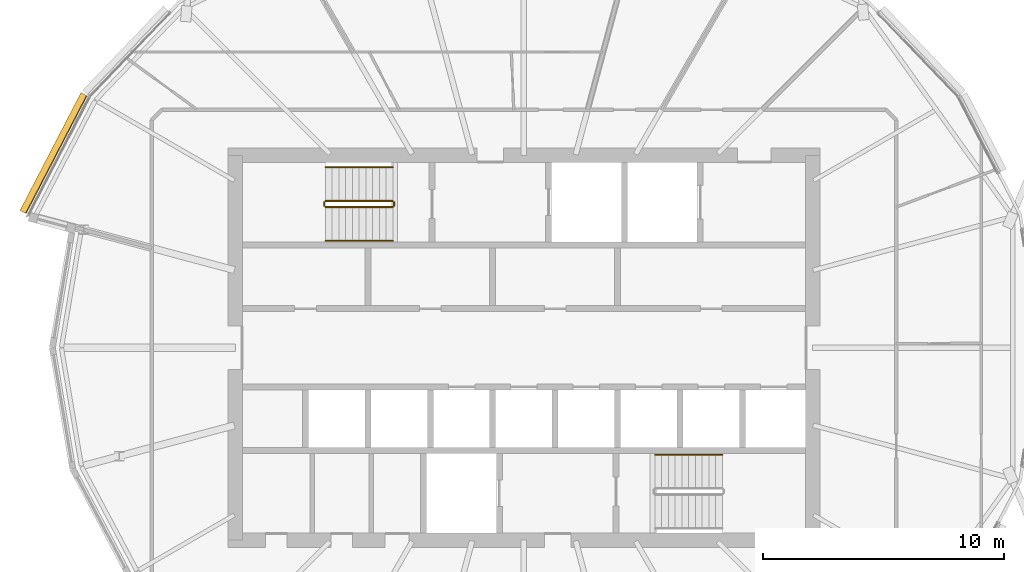
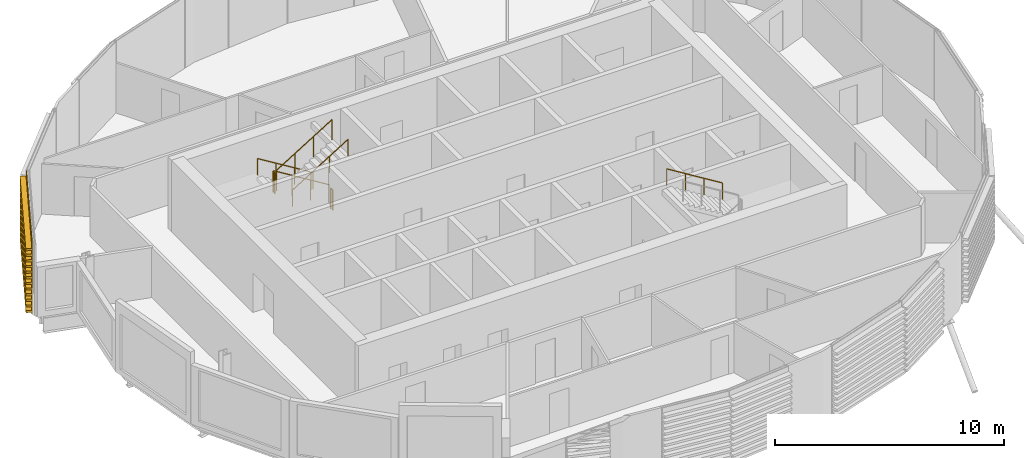
# One storey, part 32 of 36: 7 railings, 1 covering.
"""IFC4 building model written with IfcOpenShell, lengths in metres."""

from ifc_helpers import new_model, si_unit, direction, frame, origin, origin_2d, place, context, subcontext, project, spatial, polyline, circle, outline, extrude, material, material_profile, profile_set, type_object, element, save


model = new_model("IFC4")

# Units and contexts
model_context = context("Model", 3, precision=1e-05, world=origin(), true_north=direction((0.0, 1.0)))
body_context = subcontext(model_context, "Body", "Model", "MODEL_VIEW")
ifc_project = project(units=[si_unit("LENGTHUNIT", "METRE"), si_unit("AREAUNIT", "SQUARE_METRE"), si_unit("VOLUMEUNIT", "CUBIC_METRE"), si_unit("PLANEANGLEUNIT", "RADIAN"), si_unit("MASSUNIT", "GRAM", prefix="KILO")], contexts=[model_context])

# Site, building, storey
site_placement = place(None, origin())
site = spatial("IfcSite", under=ifc_project, at=site_placement, CompositionType="ELEMENT")
building_placement = place(site_placement, origin())
building = spatial("IfcBuilding", under=site, at=building_placement, Name="Rimbun Link Towers", CompositionType="ELEMENT")
storey_placement = place(building_placement, frame((0.0, 0.0, 200.699951171875)))
storey = spatial("IfcBuildingStorey", under=building, at=storey_placement, Name="L49", CompositionType="ELEMENT", Elevation=200.699951171875)

# Railings
ifc_material_1 = material(Name="Stainless steel grade 316", Category="steel")
railing_type_1 = type_object("IfcRailingType", Name="Stair guard", PredefinedType="GUARDRAIL", material=ifc_material_1)
railing_1_placement = place(storey_placement, frame((-37.199951171875, 6.10009765625, 0.1728515625)))
element("IfcRailing", 1, at=railing_1_placement, inside=storey, type_object=railing_type_1, Name="L49 ST1 stair guard 1", PredefinedType="GUARDRAIL", context=body_context, shape_type="SweptSolid", body=[
    extrude(circle(Radius=0.02392578125, at=origin_2d()), frame((0.0, 0.0, 1.076171875), z_axis=(-0.851089632645, 0.0, 0.525020415988), x_axis=(0.0, -1.0, 0.0)), (0.0, 0.0, 1.0), 3.2900390625),
    extrude(circle(Radius=0.02099609375, at=origin_2d()), origin(), (0.0, 0.0, 1.0), 1.052001953125),
    extrude(circle(Radius=0.02099609375, at=origin_2d()), frame((-0.933349609375, 0.0, 0.57568359375)), (0.0, 0.0, 1.0), 1.052001953125),
    extrude(circle(Radius=0.02099609375, at=origin_2d()), frame((-1.86669921875, 0.0, 1.151611328125)), (0.0, 0.0, 1.0), 1.052001953125),
    extrude(circle(Radius=0.02099609375, at=origin_2d()), frame((-2.800048828125, 0.0, 1.727294921875)), (0.0, 0.0, 1.0), 1.052001953125),
])
railing_2_placement = place(storey_placement, frame((-40.050048828125, 6.050048828125, 1.900146484375)))
element("IfcRailing", 2, at=railing_2_placement, inside=storey, type_object=railing_type_1, Name="L49 ST1 stair guard 2", PredefinedType="GUARDRAIL", context=body_context, shape_type="SweptSolid", body=[
    extrude(circle(Radius=0.02392578125, at=origin_2d()), frame((0.0, 0.0, 1.076171875), z_axis=(0.0, -1.0, 0.0), x_axis=(1.0, 0.0, 0.0)), (0.0, 0.0, 1.0), 0.150146484375),
    extrude(circle(Radius=0.02099609375, at=origin_2d()), origin(), (0.0, 0.0, 1.0), 1.052001953125),
    extrude(circle(Radius=0.02099609375, at=origin_2d()), frame((0.0, -0.150146484375, 0.0)), (0.0, 0.0, 1.0), 1.052001953125),
])
railing_3_placement = place(storey_placement, frame((-40.0, 5.85009765625, 2.07275390625)))
element("IfcRailing", 3, at=railing_3_placement, inside=storey, type_object=railing_type_1, Name="L49 ST1 stair guard 3", PredefinedType="GUARDRAIL", context=body_context, shape_type="SweptSolid", body=[
    extrude(circle(Radius=0.02392578125, at=origin_2d()), frame((0.0, 0.0, 1.076171875), z_axis=(0.851089632645, 0.0, 0.525020415988), x_axis=(0.0, 1.0, 0.0)), (0.0, 0.0, 1.0), 3.2900390625),
    extrude(circle(Radius=0.02099609375, at=origin_2d()), origin(), (0.0, 0.0, 1.0), 1.052001953125),
    extrude(circle(Radius=0.02099609375, at=origin_2d()), frame((0.933349609375, 0.0, 0.57568359375)), (0.0, 0.0, 1.0), 1.052001953125),
    extrude(circle(Radius=0.02099609375, at=origin_2d()), frame((1.86669921875, 0.0, 1.151611328125)), (0.0, 0.0, 1.0), 1.052001953125),
    extrude(circle(Radius=0.02099609375, at=origin_2d()), frame((2.800048828125, 0.0, 1.727294921875)), (0.0, 0.0, 1.0), 1.052001953125),
])
railing_4_placement = place(storey_placement, frame((-37.14990234375, 6.050048828125, 0.0)))
element("IfcRailing", 4, at=railing_4_placement, inside=storey, type_object=railing_type_1, Name="L49 ST1 stair guard 4", PredefinedType="GUARDRAIL", context=body_context, shape_type="SweptSolid", body=[
    extrude(circle(Radius=0.02392578125, at=origin_2d()), frame((0.0, 0.0, 1.076171875), z_axis=(0.0, -1.0, 0.0), x_axis=(1.0, 0.0, 0.0)), (0.0, 0.0, 1.0), 0.150146484375),
    extrude(circle(Radius=0.02099609375, at=origin_2d()), origin(), (0.0, 0.0, 1.0), 1.052001953125),
    extrude(circle(Radius=0.02099609375, at=origin_2d()), frame((0.0, -0.150146484375, 0.0)), (0.0, 0.0, 1.0), 1.052001953125),
])
ifc_material_2 = material(Name="Stainless steel grade 316", Category="steel")
railing_type_2 = type_object("IfcRailingType", Name="Stair handrail", PredefinedType="HANDRAIL", material=ifc_material_2)
railing_5_placement = place(storey_placement, frame((-37.199951171875, 7.5, 0.1728515625)))
element("IfcRailing", 5, at=railing_5_placement, inside=storey, type_object=railing_type_2, Name="L49 ST1 stair handrail 1", PredefinedType="HANDRAIL", context=body_context, shape_type="SweptSolid", body=[
    extrude(circle(Radius=0.02392578125, at=origin_2d()), frame((0.0, 0.0, 0.8759765625), z_axis=(-0.851089632645, 0.0, 0.525020415988), x_axis=(0.0, -1.0, 0.0)), (0.0, 0.0, 1.0), 3.2900390625),
    extrude(circle(Radius=0.02099609375, at=origin_2d()), origin(), (0.0, 0.0, 1.0), 0.851806640625),
    extrude(circle(Radius=0.02099609375, at=origin_2d()), frame((-0.933349609375, 0.0, 0.57568359375)), (0.0, 0.0, 1.0), 0.851806640625),
    extrude(circle(Radius=0.02099609375, at=origin_2d()), frame((-1.86669921875, 0.0, 1.151611328125)), (0.0, 0.0, 1.0), 0.851806640625),
    extrude(circle(Radius=0.02099609375, at=origin_2d()), frame((-2.800048828125, 0.0, 1.727294921875)), (0.0, 0.0, 1.0), 0.851806640625),
])
railing_6_placement = place(storey_placement, frame((-40.0, 4.449951171875, 2.07275390625)))
element("IfcRailing", 6, at=railing_6_placement, inside=storey, type_object=railing_type_2, Name="L49 ST1 stair handrail 2", PredefinedType="HANDRAIL", context=body_context, shape_type="SweptSolid", body=[
    extrude(circle(Radius=0.02392578125, at=origin_2d()), frame((0.0, 0.0, 0.8759765625), z_axis=(0.851089632645, 0.0, 0.525020415988), x_axis=(0.0, 1.0, 0.0)), (0.0, 0.0, 1.0), 3.2900390625),
    extrude(circle(Radius=0.02099609375, at=origin_2d()), origin(), (0.0, 0.0, 1.0), 0.851806640625),
    extrude(circle(Radius=0.02099609375, at=origin_2d()), frame((0.933349609375, 0.0, 0.57568359375)), (0.0, 0.0, 1.0), 0.851806640625),
    extrude(circle(Radius=0.02099609375, at=origin_2d()), frame((1.86669921875, 0.0, 1.151611328125)), (0.0, 0.0, 1.0), 0.851806640625),
    extrude(circle(Radius=0.02099609375, at=origin_2d()), frame((2.800048828125, 0.0, 1.727294921875)), (0.0, 0.0, 1.0), 0.851806640625),
])
railing_7_placement = place(storey_placement, frame((-23.5, -4.449951171875, 2.07275390625)))
element("IfcRailing", 7, at=railing_7_placement, inside=storey, type_object=railing_type_2, Name="L49 ST2 stair handrail 2", PredefinedType="HANDRAIL", context=body_context, shape_type="SweptSolid", body=[
    extrude(circle(Radius=0.02392578125, at=origin_2d()), frame((0.0, 0.0, 0.8759765625), z_axis=(-0.851089632645, 0.0, 0.525020415988), x_axis=(0.0, -1.0, 0.0)), (0.0, 0.0, 1.0), 3.2900390625),
    extrude(circle(Radius=0.02099609375, at=origin_2d()), origin(), (0.0, 0.0, 1.0), 0.851806640625),
    extrude(circle(Radius=0.02099609375, at=origin_2d()), frame((-0.933349609375, 0.0, 0.57568359375)), (0.0, 0.0, 1.0), 0.851806640625),
    extrude(circle(Radius=0.02099609375, at=origin_2d()), frame((-1.86669921875, 0.0, 1.151611328125)), (0.0, 0.0, 1.0), 0.851806640625),
    extrude(circle(Radius=0.02099609375, at=origin_2d()), frame((-2.800048828125, 0.0, 1.727294921875)), (0.0, 0.0, 1.0), 0.851806640625),
])

# Covering
ifc_material_3 = material(Name="Terracotta", Category="masonry")
ifc_material_profile = material_profile(ifc_material_3, outline(polyline([(0.123046875, 0.0), (0.1630859375, 0.0), (0.1630859375, 0.10009765625), (0.423095703125, 0.10009765625), (0.423095703125, 0.219970703125), (0.1630859375, 0.219970703125), (0.1630859375, 0.39990234375), (0.423095703125, 0.39990234375), (0.423095703125, 0.52001953125), (0.1630859375, 0.52001953125), (0.1630859375, 0.699951171875), (0.423095703125, 0.699951171875), (0.423095703125, 0.820068359375), (0.1630859375, 0.820068359375), (0.1630859375, 1.0), (0.423095703125, 1.0), (0.423095703125, 1.1201171875), (0.1630859375, 1.1201171875), (0.1630859375, 1.300048828125), (0.423095703125, 1.300048828125), (0.423095703125, 1.419921875), (0.1630859375, 1.419921875), (0.1630859375, 1.60009765625), (0.423095703125, 1.60009765625), (0.423095703125, 1.719970703125), (0.1630859375, 1.719970703125), (0.1630859375, 1.89990234375), (0.423095703125, 1.89990234375), (0.423095703125, 2.02001953125), (0.1630859375, 2.02001953125), (0.1630859375, 2.199951171875), (0.423095703125, 2.199951171875), (0.423095703125, 2.320068359375), (0.1630859375, 2.320068359375), (0.1630859375, 2.5), (0.423095703125, 2.5), (0.423095703125, 2.6201171875), (0.1630859375, 2.6201171875), (0.1630859375, 2.800048828125), (0.423095703125, 2.800048828125), (0.423095703125, 2.919921875), (0.1630859375, 2.919921875), (0.1630859375, 3.10009765625), (0.423095703125, 3.10009765625), (0.423095703125, 3.219970703125), (0.1630859375, 3.219970703125), (0.1630859375, 3.39990234375), (0.423095703125, 3.39990234375), (0.423095703125, 3.52001953125), (0.1630859375, 3.52001953125), (0.1630859375, 3.800048828125), (0.123046875, 3.800048828125), (0.123046875, 0.0)])), Name="BAGUETTE 120X300")
ifc_profile_set = profile_set([ifc_material_profile], Name="Terracotta")
covering_type = type_object("IfcCoveringType", Name="TERRACOTTA BAGUETTE 120X300 H3800", PredefinedType="CLADDING", material=ifc_profile_set)
covering_placement = place(storey_placement, frame((-52.326904296875, 5.513671875, 0.0), z_axis=(0.459591381611, 0.888130487006, 0.0), x_axis=(-0.888130487006, 0.459591381611, 0.0)))
element("IfcCovering", 8, at=covering_placement, inside=storey, type_object=covering_type, Name="TERRACOTTA BAGUETTE", PredefinedType="CLADDING", context=body_context, shape_type="SweptSolid", body=[
    extrude(outline(polyline([(0.123046875, 0.0), (0.1630859375, 0.0), (0.1630859375, 0.10009765625), (0.423095703125, 0.10009765625), (0.423095703125, 0.219970703125), (0.1630859375, 0.219970703125), (0.1630859375, 0.39990234375), (0.423095703125, 0.39990234375), (0.423095703125, 0.52001953125), (0.1630859375, 0.52001953125), (0.1630859375, 0.699951171875), (0.423095703125, 0.699951171875), (0.423095703125, 0.820068359375), (0.1630859375, 0.820068359375), (0.1630859375, 1.0), (0.423095703125, 1.0), (0.423095703125, 1.1201171875), (0.1630859375, 1.1201171875), (0.1630859375, 1.300048828125), (0.423095703125, 1.300048828125), (0.423095703125, 1.419921875), (0.1630859375, 1.419921875), (0.1630859375, 1.60009765625), (0.423095703125, 1.60009765625), (0.423095703125, 1.719970703125), (0.1630859375, 1.719970703125), (0.1630859375, 1.89990234375), (0.423095703125, 1.89990234375), (0.423095703125, 2.02001953125), (0.1630859375, 2.02001953125), (0.1630859375, 2.199951171875), (0.423095703125, 2.199951171875), (0.423095703125, 2.320068359375), (0.1630859375, 2.320068359375), (0.1630859375, 2.5), (0.423095703125, 2.5), (0.423095703125, 2.6201171875), (0.1630859375, 2.6201171875), (0.1630859375, 2.800048828125), (0.423095703125, 2.800048828125), (0.423095703125, 2.919921875), (0.1630859375, 2.919921875), (0.1630859375, 3.10009765625), (0.423095703125, 3.10009765625), (0.423095703125, 3.219970703125), (0.1630859375, 3.219970703125), (0.1630859375, 3.39990234375), (0.423095703125, 3.39990234375), (0.423095703125, 3.52001953125), (0.1630859375, 3.52001953125), (0.1630859375, 3.800048828125), (0.123046875, 3.800048828125), (0.123046875, 0.0)])), origin(), (0.0, 0.0, 1.0), 5.519287109375),
])

save(model, "model.ifc")
